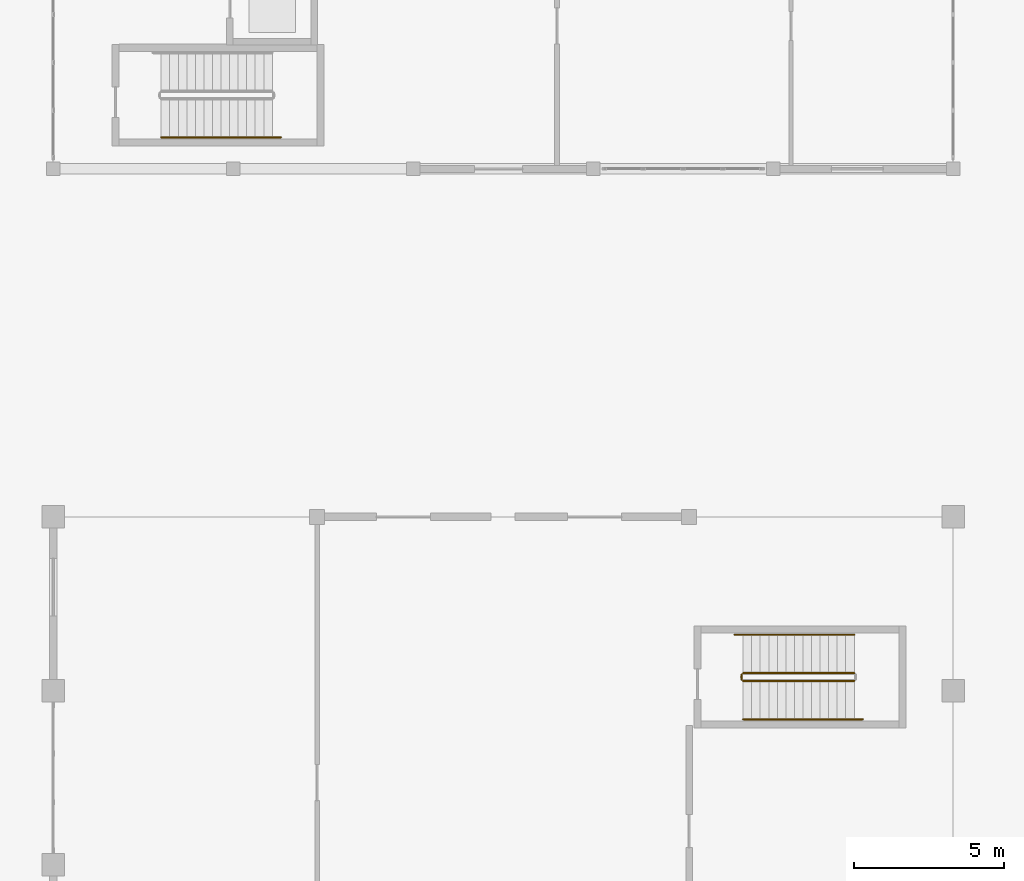
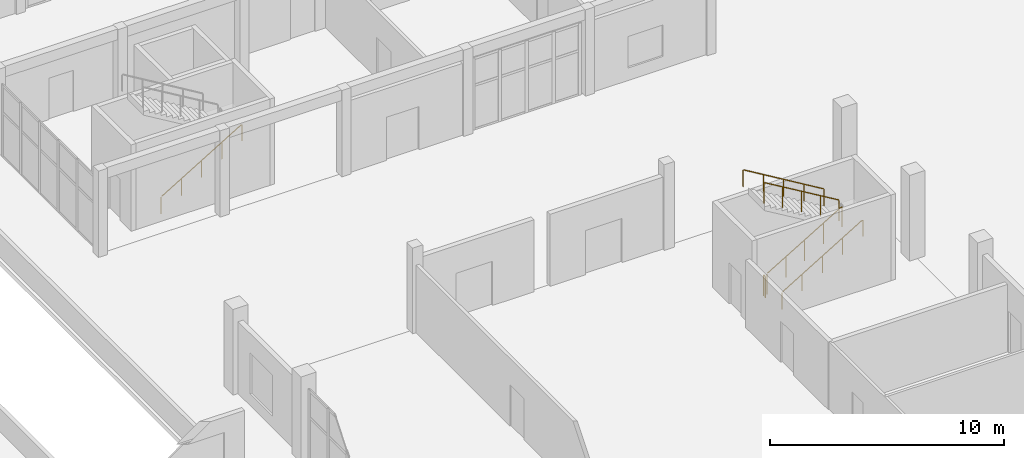
# One storey, part 124 of 132: 6 railings.
"""IFC4 building model written with IfcOpenShell, lengths in metres."""

from ifc_helpers import new_model, si_unit, direction, frame, origin, origin_2d, place, context, subcontext, project, spatial, circle, extrude, material, type_object, element, save


model = new_model("IFC4")

# Units and contexts
model_context = context("Model", 3, precision=1e-05, world=origin(), true_north=direction((0.0, 1.0)))
body_context = subcontext(model_context, "Body", "Model", "MODEL_VIEW")
ifc_project = project(units=[si_unit("LENGTHUNIT", "METRE"), si_unit("AREAUNIT", "SQUARE_METRE"), si_unit("VOLUMEUNIT", "CUBIC_METRE"), si_unit("PLANEANGLEUNIT", "RADIAN"), si_unit("MASSUNIT", "GRAM", prefix="KILO")], contexts=[model_context])

# Site, building, storey
site_placement = place(None, origin())
site = spatial("IfcSite", under=ifc_project, at=site_placement, CompositionType="ELEMENT")
building_placement = place(site_placement, origin())
building = spatial("IfcBuilding", under=site, at=building_placement, Name="Tanwirah Colonnade Gardens", CompositionType="ELEMENT")
storey_placement = place(building_placement, origin())
storey = spatial("IfcBuildingStorey", under=building, at=storey_placement, Name="L00", CompositionType="ELEMENT", Elevation=0.0)

# Railings
ifc_material_1 = material(Name="Powder-coated galvanized steel", Category="steel")
railing_type_1 = type_object("IfcRailingType", Name="GRD-ST110", PredefinedType="GUARDRAIL", material=ifc_material_1)
railing_1_placement = place(storey_placement, frame((101.0, 74.929931640625, 0.169921875)))
element("IfcRailing", 1, at=railing_1_placement, inside=storey, type_object=railing_type_1, Name="L00 ST-H2 stair guard 1", PredefinedType="GUARDRAIL", context=body_context, shape_type="SweptSolid", body=[
    extrude(circle(Radius=0.02392578125, at=origin_2d()), frame((0.02685546875, 0.0, 1.092041015625), z_axis=(0.858828240829, 0.0, 0.512263655508), x_axis=(0.0, 1.0, 0.0)), (0.0, 0.0, 1.0), 4.25146484375),
    extrude(circle(Radius=0.02099609375, at=origin_2d()), origin(), (0.0, 0.0, 1.0), 1.049072265625),
    extrude(circle(Radius=0.02099609375, at=origin_2d()), frame((0.92626953125, 0.0, 0.552490234375)), (0.0, 0.0, 1.0), 1.049072265625),
    extrude(circle(Radius=0.02099609375, at=origin_2d()), frame((1.8525390625, 0.0, 1.10498046875)), (0.0, 0.0, 1.0), 1.049072265625),
    extrude(circle(Radius=0.02099609375, at=origin_2d()), frame((2.77880859375, 0.0, 1.657470703125)), (0.0, 0.0, 1.0), 1.049072265625),
    extrude(circle(Radius=0.02099609375, at=origin_2d()), frame((3.705078125, 0.0, 2.2099609375)), (0.0, 0.0, 1.0), 1.049072265625),
])
railing_2_placement = place(storey_placement, frame((104.705078125, 75.18994140625, 2.550048828125)))
element("IfcRailing", 2, at=railing_2_placement, inside=storey, type_object=railing_type_1, Name="L00 ST-H2 stair guard 3", PredefinedType="GUARDRAIL", context=body_context, shape_type="SweptSolid", body=[
    extrude(circle(Radius=0.02392578125, at=origin_2d()), frame((-0.02685546875, 0.0, 1.092041015625), z_axis=(-0.858828240829, 0.0, 0.512263655508), x_axis=(0.0, -1.0, 0.0)), (0.0, 0.0, 1.0), 4.25146484375),
    extrude(circle(Radius=0.02099609375, at=origin_2d()), origin(), (0.0, 0.0, 1.0), 1.049072265625),
    extrude(circle(Radius=0.02099609375, at=origin_2d()), frame((-0.92626953125, 0.0, 0.552490234375)), (0.0, 0.0, 1.0), 1.049072265625),
    extrude(circle(Radius=0.02099609375, at=origin_2d()), frame((-1.8525390625, 0.0, 1.10498046875)), (0.0, 0.0, 1.0), 1.049072265625),
    extrude(circle(Radius=0.02099609375, at=origin_2d()), frame((-2.77880859375, 0.0, 1.657470703125)), (0.0, 0.0, 1.0), 1.049072265625),
    extrude(circle(Radius=0.02099609375, at=origin_2d()), frame((-3.705078125, 0.0, 2.2099609375)), (0.0, 0.0, 1.0), 1.049072265625),
])
railing_3_placement = place(storey_placement, frame((100.949951171875, 74.97998046875, 0.0)))
element("IfcRailing", 3, at=railing_3_placement, inside=storey, type_object=railing_type_1, Name="L00 ST-H2 stair guard 4", PredefinedType="GUARDRAIL", context=body_context, shape_type="SweptSolid", body=[
    extrude(circle(Radius=0.02392578125, at=origin_2d()), frame((0.0, 0.03125, 1.076171875), z_axis=(0.0, 1.0, 0.0), x_axis=(-1.0, 0.0, 0.0)), (0.0, 0.0, 1.0), 0.097412109375),
    extrude(circle(Radius=0.02099609375, at=origin_2d()), origin(), (0.0, 0.0, 1.0), 1.049072265625),
    extrude(circle(Radius=0.02099609375, at=origin_2d()), frame((0.0, 0.159912109375, 0.0)), (0.0, 0.0, 1.0), 1.049072265625),
])
ifc_material_2 = material(Name="Brushed bronze stainless steel", Category="steel")
railing_type_2 = type_object("IfcRailingType", Name="HR-ST090", PredefinedType="HANDRAIL", material=ifc_material_2)
railing_4_placement = place(storey_placement, frame((101.0, 73.64990234375, 0.169921875)))
element("IfcRailing", 4, at=railing_4_placement, inside=storey, type_object=railing_type_2, Name="L00 ST-H2 stair handrail 1", PredefinedType="HANDRAIL", context=body_context, shape_type="SweptSolid", body=[
    extrude(circle(Radius=0.02392578125, at=origin_2d()), frame((0.02685546875, 0.0, 0.891845703125), z_axis=(0.857094710663, 0.0, 0.515158865743), x_axis=(0.0, 1.0, 0.0)), (0.0, 0.0, 1.0), 4.5927734375),
    extrude(circle(Radius=0.02099609375, at=origin_2d()), origin(), (0.0, 0.0, 1.0), 0.848876953125),
    extrude(circle(Radius=0.02099609375, at=origin_2d()), frame((0.99755859375, 0.0, 0.599609375)), (0.0, 0.0, 1.0), 0.848876953125),
    extrude(circle(Radius=0.02099609375, at=origin_2d()), frame((1.9951171875, 0.0, 1.19921875)), (0.0, 0.0, 1.0), 0.848876953125),
    extrude(circle(Radius=0.02099609375, at=origin_2d()), frame((2.992431640625, 0.0, 1.798583984375)), (0.0, 0.0, 1.0), 0.848876953125),
    extrude(circle(Radius=0.02099609375, at=origin_2d()), frame((3.989990234375, 0.0, 2.398193359375)), (0.0, 0.0, 1.0), 0.848876953125),
])
railing_5_placement = place(storey_placement, frame((104.705078125, 76.469970703125, 2.550048828125)))
element("IfcRailing", 5, at=railing_5_placement, inside=storey, type_object=railing_type_2, Name="L00 ST-H2 stair handrail 2", PredefinedType="HANDRAIL", context=body_context, shape_type="SweptSolid", body=[
    extrude(circle(Radius=0.02392578125, at=origin_2d()), frame((-0.02685546875, 0.0, 0.891845703125), z_axis=(-0.857117866608, 0.0, 0.515120338116), x_axis=(0.0, -1.0, 0.0)), (0.0, 0.0, 1.0), 4.592529296875),
    extrude(circle(Radius=0.02099609375, at=origin_2d()), origin(), (0.0, 0.0, 1.0), 0.848876953125),
    extrude(circle(Radius=0.02099609375, at=origin_2d()), frame((-0.99755859375, 0.0, 0.599609375)), (0.0, 0.0, 1.0), 0.848876953125),
    extrude(circle(Radius=0.02099609375, at=origin_2d()), frame((-1.9951171875, 0.0, 1.198974609375)), (0.0, 0.0, 1.0), 0.848876953125),
    extrude(circle(Radius=0.02099609375, at=origin_2d()), frame((-2.992431640625, 0.0, 1.79833984375)), (0.0, 0.0, 1.0), 0.848876953125),
    extrude(circle(Radius=0.02099609375, at=origin_2d()), frame((-3.989990234375, 0.0, 2.39794921875)), (0.0, 0.0, 1.0), 0.848876953125),
])
railing_6_placement = place(storey_placement, frame((81.60009765625, 93.050048828125, 0.169921875)))
element("IfcRailing", 6, at=railing_6_placement, inside=storey, type_object=railing_type_2, Name="L00 ST-N1 stair handrail 1", PredefinedType="HANDRAIL", context=body_context, shape_type="SweptSolid", body=[
    extrude(circle(Radius=0.02392578125, at=origin_2d()), frame((0.02685546875, 0.0, 0.891845703125), z_axis=(0.857094710663, 0.0, 0.515158865743), x_axis=(0.0, 1.0, 0.0)), (0.0, 0.0, 1.0), 4.5927734375),
    extrude(circle(Radius=0.02099609375, at=origin_2d()), origin(), (0.0, 0.0, 1.0), 0.848876953125),
    extrude(circle(Radius=0.02099609375, at=origin_2d()), frame((0.99755859375, 0.0, 0.599609375)), (0.0, 0.0, 1.0), 0.848876953125),
    extrude(circle(Radius=0.02099609375, at=origin_2d()), frame((1.9951171875, 0.0, 1.19921875)), (0.0, 0.0, 1.0), 0.848876953125),
    extrude(circle(Radius=0.02099609375, at=origin_2d()), frame((2.992431640625, 0.0, 1.798583984375)), (0.0, 0.0, 1.0), 0.848876953125),
    extrude(circle(Radius=0.02099609375, at=origin_2d()), frame((3.989990234375, 0.0, 2.398193359375)), (0.0, 0.0, 1.0), 0.848876953125),
])

save(model, "model.ifc")
